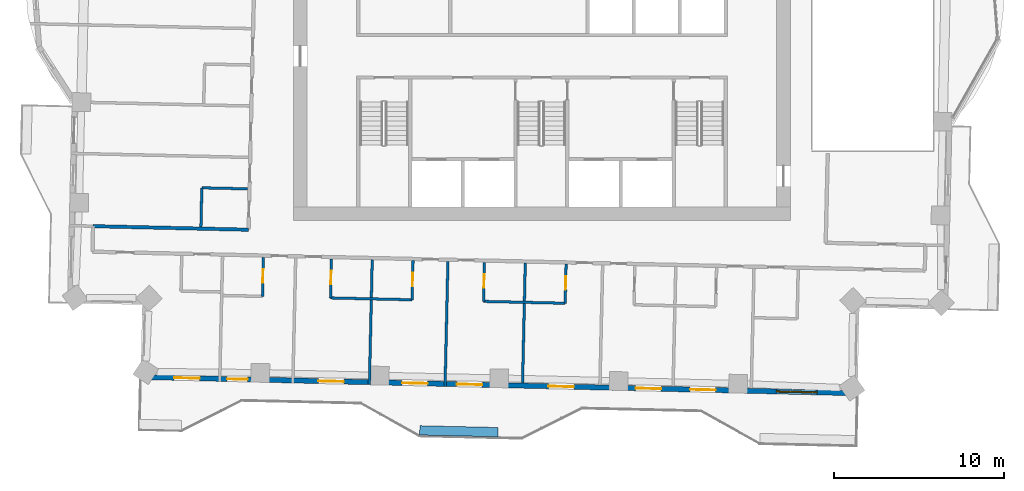
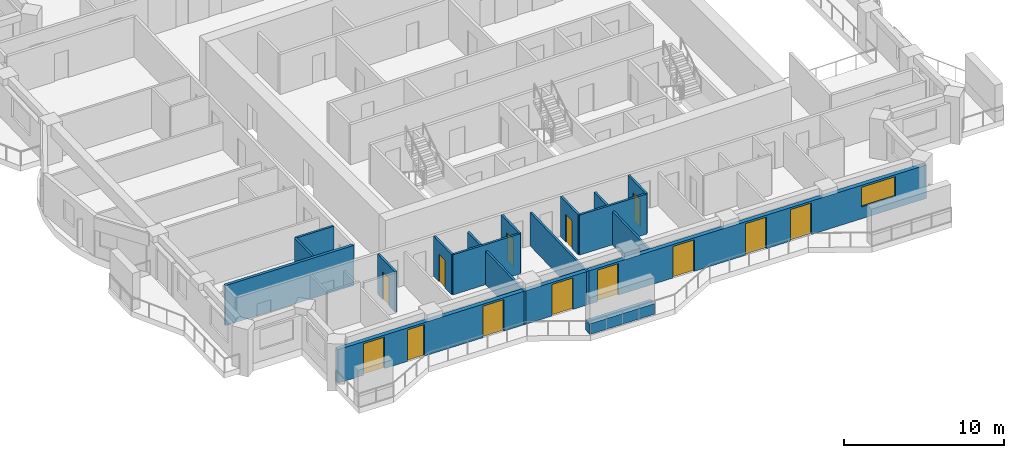
# One storey, part 6 of 16: 15 walls, 13 doors, 1 window, 14 openings.
"""IFC4 building model written with IfcOpenShell, lengths in metres."""

from ifc_helpers import new_model, si_unit, direction, frame, frame_2d, origin, place, context, subcontext, project, spatial, rectangle, extrude, material, layer, layer_set, type_object, element, fill, save


model = new_model("IFC4")

# Units and contexts
model_context = context("Model", 3, precision=1e-05, world=origin(), true_north=direction((0.0, 1.0)))
body_context = subcontext(model_context, "Body", "Model", "MODEL_VIEW")
ifc_project = project(units=[si_unit("LENGTHUNIT", "METRE"), si_unit("AREAUNIT", "SQUARE_METRE"), si_unit("VOLUMEUNIT", "CUBIC_METRE"), si_unit("PLANEANGLEUNIT", "RADIAN"), si_unit("MASSUNIT", "GRAM", prefix="KILO")], contexts=[model_context])

# Site, building, storey
site_placement = place(None, origin())
site = spatial("IfcSite", under=ifc_project, at=site_placement, CompositionType="ELEMENT")
building_placement = place(site_placement, origin())
building = spatial("IfcBuilding", under=site, at=building_placement, Name="Mangrove Gate Tower", CompositionType="ELEMENT")
storey_placement = place(building_placement, frame((0.0, 0.0, 215.89990234375)))
storey = spatial("IfcBuildingStorey", under=building, at=storey_placement, Name="L55", CompositionType="ELEMENT", Elevation=215.89990234375)

# Wall
ifc_material_1 = material(Name="Gypsum board on steel stud, EI 60", Category="steel")
ifc_layer_1 = layer(ifc_material_1, 0.199951171875)
ifc_layer_set_1 = layer_set([ifc_layer_1], Name="Corridor wall EI 60")
wall_type_1 = type_object("IfcWallType", Name="Corridor wall EI 60", PredefinedType="PARTITIONING", material=ifc_layer_set_1)
wall_1_placement = place(storey_placement, frame((-26.386962890625, -11.94091796875, 0.0), z_axis=(0.0, 0.0, 1.0), x_axis=(0.999741076645, -0.022754772455, 0.0)))
element("IfcWall", 1, at=wall_1_placement, inside=storey, type_object=wall_type_1, Name="WALL-L55-028", PredefinedType="PARTITIONING", context=body_context, shape_type="SweptSolid", body=[
    extrude(rectangle(XDim=9.141357421875, YDim=0.199951171875, at=frame_2d((4.57080078125, 0.0))), origin(), (0.0, 0.0, 1.0), 3.050048828125),
])

# Wall, openings, doors, window
ifc_material_2 = material(Name="Limestone", Category="masonry")
ifc_layer_2 = layer(ifc_material_2, 0.0400390625, Name="Limestone cladding")
ifc_material_3 = material(Name="Ventilated air gap")
ifc_layer_3 = layer(ifc_material_3, 0.0400390625, Name="Ventilated cavity")
ifc_material_4 = material(Name="Mineral wool insulation")
ifc_layer_4 = layer(ifc_material_4, 0.06005859375, Name="Insulation")
ifc_material_5 = material(Name="Breather membrane")
ifc_layer_5 = layer(ifc_material_5, 0.001953125, Name="Breather membrane")
ifc_material_6 = material(Name="Concrete C20/25 blockwork", Category="masonry")
ifc_layer_6 = layer(ifc_material_6, 0.14990234375, Name="Blockwork backing wall")
ifc_material_7 = material(Name="Gypsum plaster")
ifc_layer_7 = layer(ifc_material_7, 0.008056640625, Name="Internal plaster")
ifc_layer_set_2 = layer_set([ifc_layer_2, ifc_layer_3, ifc_layer_4, ifc_layer_5, ifc_layer_6, ifc_layer_7], Name="External wall 300 limestone cladding")
wall_type_2 = type_object("IfcWallType", Name="External wall 300 limestone cladding", PredefinedType="SOLIDWALL", material=ifc_layer_set_2)
wall_2_placement = place(storey_placement, frame((-23.43701171875, -20.81005859375, 0.0), z_axis=(0.0, 0.0, 1.0), x_axis=(0.999742269115, -0.022702320244, 0.0)))
wall_2 = element("IfcWall", 2, at=wall_2_placement, inside=storey, type_object=wall_type_2, Name="WALL-L55-S13", PredefinedType="SOLIDWALL", context=body_context, shape_type="SweptSolid", body=[
    extrude(rectangle(XDim=41.84375, YDim=0.300048828125, at=frame_2d((20.921875, 0.0))), origin(), (0.0, 0.0, 1.0), 2.550048828125),
])
opening_1_placement = place(wall_2_placement, frame((1.824951171875, 0.0, 0.0)))
opening_1 = element("IfcOpeningElement", 3, at=opening_1_placement, cuts=wall_2, Name="Opening BD1", PredefinedType="OPENING", context=body_context, shape_type="SweptSolid", body=[
    extrude(rectangle(XDim=1.5, YDim=2.39990234375, at=frame_2d((0.75, 1.199951171875))), frame((0.0, 0.159912109375, 0.0), z_axis=(0.0, -1.0, 0.0), x_axis=(1.0, 0.0, 0.0)), (0.0, 0.0, 1.0), 0.320068359375),
])
opening_2_placement = place(wall_2_placement, frame((4.93701171875, 0.0, 0.0)))
opening_2 = element("IfcOpeningElement", 4, at=opening_2_placement, cuts=wall_2, Name="Opening BD2", PredefinedType="OPENING", context=body_context, shape_type="SweptSolid", body=[
    extrude(rectangle(XDim=1.199951171875, YDim=2.39990234375, at=frame_2d((0.60009765625, 1.199951171875))), frame((0.0, 0.159912109375, 0.0), z_axis=(0.0, -1.0, 0.0), x_axis=(1.0, 0.0, 0.0)), (0.0, 0.0, 1.0), 0.320068359375),
])
opening_3_placement = place(wall_2_placement, frame((10.300048828125, 0.0, 0.0)))
opening_3 = element("IfcOpeningElement", 5, at=opening_3_placement, cuts=wall_2, Name="Opening BD1", PredefinedType="OPENING", context=body_context, shape_type="SweptSolid", body=[
    extrude(rectangle(XDim=1.5, YDim=2.39990234375, at=frame_2d((0.75, 1.199951171875))), frame((0.0, 0.159912109375, 0.0), z_axis=(0.0, -1.0, 0.0), x_axis=(1.0, 0.0, 0.0)), (0.0, 0.0, 1.0), 0.320068359375),
])
opening_4_placement = place(wall_2_placement, frame((15.22412109375, 0.0, 0.0)))
opening_4 = element("IfcOpeningElement", 6, at=opening_4_placement, cuts=wall_2, Name="Opening BD1", PredefinedType="OPENING", context=body_context, shape_type="SweptSolid", body=[
    extrude(rectangle(XDim=1.5, YDim=2.39990234375, at=frame_2d((0.75, 1.199951171875))), frame((0.0, 0.159912109375, 0.0), z_axis=(0.0, -1.0, 0.0), x_axis=(1.0, 0.0, 0.0)), (0.0, 0.0, 1.0), 0.320068359375),
])
opening_5_placement = place(wall_2_placement, frame((18.43603515625, 0.0, 0.0)))
opening_5 = element("IfcOpeningElement", 7, at=opening_5_placement, cuts=wall_2, Name="Opening BD1", PredefinedType="OPENING", context=body_context, shape_type="SweptSolid", body=[
    extrude(rectangle(XDim=1.5, YDim=2.39990234375, at=frame_2d((0.75, 1.199951171875))), frame((0.0, 0.159912109375, 0.0), z_axis=(0.0, -1.0, 0.0), x_axis=(1.0, 0.0, 0.0)), (0.0, 0.0, 1.0), 0.320068359375),
])
opening_6_placement = place(wall_2_placement, frame((23.824951171875, 0.0, 0.0)))
opening_6 = element("IfcOpeningElement", 8, at=opening_6_placement, cuts=wall_2, Name="Opening BD1", PredefinedType="OPENING", context=body_context, shape_type="SweptSolid", body=[
    extrude(rectangle(XDim=1.5, YDim=2.39990234375, at=frame_2d((0.75, 1.199951171875))), frame((0.0, 0.159912109375, 0.0), z_axis=(0.0, -1.0, 0.0), x_axis=(1.0, 0.0, 0.0)), (0.0, 0.0, 1.0), 0.320068359375),
])
opening_7_placement = place(wall_2_placement, frame((28.947998046875, 0.0, 0.0)))
opening_7 = element("IfcOpeningElement", 9, at=opening_7_placement, cuts=wall_2, Name="Opening BD1", PredefinedType="OPENING", context=body_context, shape_type="SweptSolid", body=[
    extrude(rectangle(XDim=1.5, YDim=2.39990234375, at=frame_2d((0.75, 1.199951171875))), frame((0.0, 0.159912109375, 0.0), z_axis=(0.0, -1.0, 0.0), x_axis=(1.0, 0.0, 0.0)), (0.0, 0.0, 1.0), 0.320068359375),
])
opening_8_placement = place(wall_2_placement, frame((32.159912109375, 0.0, 0.0)))
opening_8 = element("IfcOpeningElement", 10, at=opening_8_placement, cuts=wall_2, Name="Opening BD1", PredefinedType="OPENING", context=body_context, shape_type="SweptSolid", body=[
    extrude(rectangle(XDim=1.5, YDim=2.39990234375, at=frame_2d((0.75, 1.199951171875))), frame((0.0, 0.159912109375, 0.0), z_axis=(0.0, -1.0, 0.0), x_axis=(1.0, 0.0, 0.0)), (0.0, 0.0, 1.0), 0.320068359375),
])
opening_9_placement = place(wall_2_placement, frame((37.22412109375, 0.0, 0.89990234375)))
opening_9 = element("IfcOpeningElement", 11, at=opening_9_placement, cuts=wall_2, Name="Opening W2", PredefinedType="OPENING", context=body_context, shape_type="SweptSolid", body=[
    extrude(rectangle(XDim=2.39990234375, YDim=1.5, at=frame_2d((1.199951171875, 0.75))), frame((0.0, 0.159912109375, 0.0), z_axis=(0.0, -1.0, 0.0), x_axis=(1.0, 0.0, 0.0)), (0.0, 0.0, 1.0), 0.320068359375),
])
ifc_material_8 = material(Name="Aluminium frame with laminated clear glass", Category="aluminium")
door_type_1 = type_object("IfcDoorType", Name="Balcony sliding door 1200x2400", OperationType="SLIDING_TO_LEFT", PredefinedType="DOOR", material=ifc_material_8)
door_1_placement = place(opening_2_placement, origin())
door_1 = element("IfcDoor", 12, at=door_1_placement, inside=storey, type_object=door_type_1, Name="DOOR-L55-S13-2", OperationType="SLIDING_TO_LEFT", OverallHeight=2.39990234375, OverallWidth=1.199951171875, PredefinedType="DOOR", context=body_context, shape_type="SweptSolid", body=[
    extrude(rectangle(XDim=1.199951171875, YDim=2.39990234375, at=frame_2d((0.60009765625, 1.199951171875))), frame((0.0, 0.02490234375, 0.0), z_axis=(0.0, -1.0, 0.0), x_axis=(1.0, 0.0, 0.0)), (0.0, 0.0, 1.0), 0.050048828125),
])
fill(opening_2, door_1)
ifc_material_9 = material(Name="Aluminium frame with laminated clear glass", Category="aluminium")
door_type_2 = type_object("IfcDoorType", Name="Balcony sliding door 1500x2400", OperationType="SLIDING_TO_LEFT", PredefinedType="DOOR", material=ifc_material_9)
door_2_placement = place(opening_1_placement, origin())
door_2 = element("IfcDoor", 13, at=door_2_placement, inside=storey, type_object=door_type_2, Name="DOOR-L55-S13-1", OperationType="SLIDING_TO_LEFT", OverallHeight=2.39990234375, OverallWidth=1.5, PredefinedType="DOOR", context=body_context, shape_type="SweptSolid", body=[
    extrude(rectangle(XDim=1.5, YDim=2.39990234375, at=frame_2d((0.75, 1.199951171875))), frame((0.0, 0.02490234375, 0.0), z_axis=(0.0, -1.0, 0.0), x_axis=(1.0, 0.0, 0.0)), (0.0, 0.0, 1.0), 0.050048828125),
])
fill(opening_1, door_2)
door_3_placement = place(opening_3_placement, origin())
door_3 = element("IfcDoor", 14, at=door_3_placement, inside=storey, type_object=door_type_2, Name="DOOR-L55-S13-3", OperationType="SLIDING_TO_LEFT", OverallHeight=2.39990234375, OverallWidth=1.5, PredefinedType="DOOR", context=body_context, shape_type="SweptSolid", body=[
    extrude(rectangle(XDim=1.5, YDim=2.39990234375, at=frame_2d((0.75, 1.199951171875))), frame((0.0, 0.02490234375, 0.0), z_axis=(0.0, -1.0, 0.0), x_axis=(1.0, 0.0, 0.0)), (0.0, 0.0, 1.0), 0.050048828125),
])
fill(opening_3, door_3)
door_4_placement = place(opening_4_placement, origin())
door_4 = element("IfcDoor", 15, at=door_4_placement, inside=storey, type_object=door_type_2, Name="DOOR-L55-S13-4", OperationType="SLIDING_TO_LEFT", OverallHeight=2.39990234375, OverallWidth=1.5, PredefinedType="DOOR", context=body_context, shape_type="SweptSolid", body=[
    extrude(rectangle(XDim=1.5, YDim=2.39990234375, at=frame_2d((0.75, 1.199951171875))), frame((0.0, 0.02490234375, 0.0), z_axis=(0.0, -1.0, 0.0), x_axis=(1.0, 0.0, 0.0)), (0.0, 0.0, 1.0), 0.050048828125),
])
fill(opening_4, door_4)
door_5_placement = place(opening_5_placement, origin())
door_5 = element("IfcDoor", 16, at=door_5_placement, inside=storey, type_object=door_type_2, Name="DOOR-L55-S13-5", OperationType="SLIDING_TO_LEFT", OverallHeight=2.39990234375, OverallWidth=1.5, PredefinedType="DOOR", context=body_context, shape_type="SweptSolid", body=[
    extrude(rectangle(XDim=1.5, YDim=2.39990234375, at=frame_2d((0.75, 1.199951171875))), frame((0.0, 0.02490234375, 0.0), z_axis=(0.0, -1.0, 0.0), x_axis=(1.0, 0.0, 0.0)), (0.0, 0.0, 1.0), 0.050048828125),
])
fill(opening_5, door_5)
door_6_placement = place(opening_6_placement, origin())
door_6 = element("IfcDoor", 17, at=door_6_placement, inside=storey, type_object=door_type_2, Name="DOOR-L55-S13-6", OperationType="SLIDING_TO_LEFT", OverallHeight=2.39990234375, OverallWidth=1.5, PredefinedType="DOOR", context=body_context, shape_type="SweptSolid", body=[
    extrude(rectangle(XDim=1.5, YDim=2.39990234375, at=frame_2d((0.75, 1.199951171875))), frame((0.0, 0.02490234375, 0.0), z_axis=(0.0, -1.0, 0.0), x_axis=(1.0, 0.0, 0.0)), (0.0, 0.0, 1.0), 0.050048828125),
])
fill(opening_6, door_6)
door_7_placement = place(opening_7_placement, origin())
door_7 = element("IfcDoor", 18, at=door_7_placement, inside=storey, type_object=door_type_2, Name="DOOR-L55-S13-7", OperationType="SLIDING_TO_LEFT", OverallHeight=2.39990234375, OverallWidth=1.5, PredefinedType="DOOR", context=body_context, shape_type="SweptSolid", body=[
    extrude(rectangle(XDim=1.5, YDim=2.39990234375, at=frame_2d((0.75, 1.199951171875))), frame((0.0, 0.02490234375, 0.0), z_axis=(0.0, -1.0, 0.0), x_axis=(1.0, 0.0, 0.0)), (0.0, 0.0, 1.0), 0.050048828125),
])
fill(opening_7, door_7)
door_8_placement = place(opening_8_placement, origin())
door_8 = element("IfcDoor", 19, at=door_8_placement, inside=storey, type_object=door_type_2, Name="DOOR-L55-S13-8", OperationType="SLIDING_TO_LEFT", OverallHeight=2.39990234375, OverallWidth=1.5, PredefinedType="DOOR", context=body_context, shape_type="SweptSolid", body=[
    extrude(rectangle(XDim=1.5, YDim=2.39990234375, at=frame_2d((0.75, 1.199951171875))), frame((0.0, 0.02490234375, 0.0), z_axis=(0.0, -1.0, 0.0), x_axis=(1.0, 0.0, 0.0)), (0.0, 0.0, 1.0), 0.050048828125),
])
fill(opening_8, door_8)
ifc_material_10 = material(Name="Aluminium frame with double-glazed low-e glass", Category="aluminium")
window_type = type_object("IfcWindowType", Name="Corner room window 2400x1500", PartitioningType="DOUBLE_PANEL_VERTICAL", PredefinedType="WINDOW", material=ifc_material_10)
window_placement = place(opening_9_placement, origin())
window = element("IfcWindow", 20, at=window_placement, inside=storey, type_object=window_type, Name="WIN-L55-S13-9", OverallHeight=1.5, OverallWidth=2.39990234375, PartitioningType="DOUBLE_PANEL_VERTICAL", PredefinedType="WINDOW", context=body_context, shape_type="SweptSolid", body=[
    extrude(rectangle(XDim=2.39990234375, YDim=1.5, at=frame_2d((1.199951171875, 0.75))), frame((0.0, 0.030029296875, 0.0), z_axis=(0.0, -1.0, 0.0), x_axis=(1.0, 0.0, 0.0)), (0.0, 0.0, 1.0), 0.06005859375),
])
fill(opening_9, window)

# Walls
ifc_material_11 = material(Name="Gypsum board on steel stud, EI 60", Category="steel")
ifc_layer_8 = layer(ifc_material_11, 0.14990234375)
ifc_layer_set_3 = layer_set([ifc_layer_8], Name="Party wall 150 EI 60")
wall_type_3 = type_object("IfcWallType", Name="Party wall 150 EI 60", PredefinedType="PARTITIONING", material=ifc_layer_set_3)
wall_3_placement = place(storey_placement, frame((-10.14208984375, -21.261962890625, 0.0), z_axis=(0.0, 0.0, 1.0), x_axis=(0.022720650804, 0.999741852694, 0.0)))
element("IfcWall", 21, at=wall_3_placement, inside=storey, type_object=wall_type_3, Name="WALL-L55-003", PredefinedType="PARTITIONING", context=body_context, shape_type="SweptSolid", body=[
    extrude(rectangle(XDim=7.349853515625, YDim=0.14990234375, at=frame_2d((3.6748046875, 0.0))), origin(), (0.0, 0.0, 1.0), 2.550048828125),
])
wall_4_placement = place(storey_placement, frame((-5.693115234375, -21.363037109375, 0.0), z_axis=(0.0, 0.0, 1.0), x_axis=(0.022753095343, 0.999741114815, 0.0)))
element("IfcWall", 22, at=wall_4_placement, inside=storey, type_object=wall_type_3, Name="WALL-L55-004", PredefinedType="PARTITIONING", context=body_context, shape_type="SweptSolid", body=[
    extrude(rectangle(XDim=7.35009765625, YDim=0.14990234375, at=frame_2d((3.675048828125, 0.0))), origin(), (0.0, 0.0, 1.0), 2.550048828125),
])
wall_5_placement = place(storey_placement, frame((-1.137939453125, -21.166015625, 0.0), z_axis=(0.0, 0.0, 1.0), x_axis=(0.022682859663, 0.99974271084, 0.0)))
element("IfcWall", 23, at=wall_5_placement, inside=storey, type_object=wall_type_3, Name="WALL-L55-005", PredefinedType="PARTITIONING", context=body_context, shape_type="SweptSolid", body=[
    extrude(rectangle(XDim=7.0498046875, YDim=0.14990234375, at=frame_2d((3.52490234375, 0.0))), origin(), (0.0, 0.0, 1.0), 2.550048828125),
])

# Wall, opening, door
wall_6_placement = place(storey_placement, frame((-16.426025390625, -16.068115234375, 0.0), z_axis=(0.0, 0.0, 1.0), x_axis=(0.022612884682, 0.999744296031, 0.0)))
wall_6 = element("IfcWall", 24, at=wall_6_placement, inside=storey, type_object=wall_type_3, Name="WALL-L55-012", PredefinedType="PARTITIONING", context=body_context, shape_type="SweptSolid", body=[
    extrude(rectangle(XDim=2.299560546875, YDim=0.14990234375, at=frame_2d((1.14990234375, 0.0))), origin(), (0.0, 0.0, 1.0), 3.050048828125),
])
opening_10_placement = place(wall_6_placement, frame((0.800048828125, 0.0, 0.0)))
opening_10 = element("IfcOpeningElement", 25, at=opening_10_placement, cuts=wall_6, Name="Opening ED", PredefinedType="OPENING", context=body_context, shape_type="SweptSolid", body=[
    extrude(rectangle(XDim=0.800048828125, YDim=2.10009765625, at=frame_2d((0.39990234375, 1.050048828125))), frame((0.0, 0.0849609375, 0.0), z_axis=(0.0, -1.0, 0.0), x_axis=(1.0, 0.0, 0.0)), (0.0, 0.0, 1.0), 0.169921875),
])
ifc_material_12 = material(Name="Timber door leaf", Category="wood")
door_type_3 = type_object("IfcDoorType", Name="En-suite door 800", OperationType="SINGLE_SWING_LEFT", PredefinedType="DOOR", material=ifc_material_12)
door_9_placement = place(opening_10_placement, origin())
door_9 = element("IfcDoor", 26, at=door_9_placement, inside=storey, type_object=door_type_3, Name="DOOR-L55-ENS-c101", OperationType="SINGLE_SWING_LEFT", OverallHeight=2.10009765625, OverallWidth=0.800048828125, PredefinedType="DOOR", context=body_context, shape_type="SweptSolid", body=[
    extrude(rectangle(XDim=0.800048828125, YDim=2.10009765625, at=frame_2d((0.39990234375, 1.050048828125))), frame((0.0, 0.02490234375, 0.0), z_axis=(0.0, -1.0, 0.0), x_axis=(1.0, 0.0, 0.0)), (0.0, 0.0, 1.0), 0.050048828125),
])
fill(opening_10, door_9)

# Wall
wall_7_placement = place(storey_placement, frame((-12.428955078125, -16.158935546875, 0.0), z_axis=(0.0, 0.0, 1.0), x_axis=(0.99974154664, -0.022734113616, 0.0)))
element("IfcWall", 27, at=wall_7_placement, inside=storey, type_object=wall_type_3, Name="WALL-L55-013", PredefinedType="PARTITIONING", context=body_context, shape_type="SweptSolid", body=[
    extrude(rectangle(XDim=4.80029296875, YDim=0.14990234375, at=frame_2d((2.400146484375, 0.0))), origin(), (0.0, 0.0, 1.0), 3.050048828125),
])

# Wall, opening, door
wall_8_placement = place(storey_placement, frame((-12.427001953125, -16.158935546875, 0.0), z_axis=(0.0, 0.0, 1.0), x_axis=(0.022615284993, 0.999744241736, 0.0)))
wall_8 = element("IfcWall", 28, at=wall_8_placement, inside=storey, type_object=wall_type_3, Name="WALL-L55-014", PredefinedType="PARTITIONING", context=body_context, shape_type="SweptSolid", body=[
    extrude(rectangle(XDim=2.29931640625, YDim=0.14990234375, at=frame_2d((1.149658203125, 0.0))), origin(), (0.0, 0.0, 1.0), 3.050048828125),
])
opening_11_placement = place(wall_8_placement, frame((0.800048828125, 0.0, 0.0)))
opening_11 = element("IfcOpeningElement", 29, at=opening_11_placement, cuts=wall_8, Name="Opening ED", PredefinedType="OPENING", context=body_context, shape_type="SweptSolid", body=[
    extrude(rectangle(XDim=0.800048828125, YDim=2.10009765625, at=frame_2d((0.39990234375, 1.050048828125))), frame((0.0, 0.0849609375, 0.0), z_axis=(0.0, -1.0, 0.0), x_axis=(1.0, 0.0, 0.0)), (0.0, 0.0, 1.0), 0.169921875),
])
door_10_placement = place(opening_11_placement, origin())
door_10 = element("IfcDoor", 30, at=door_10_placement, inside=storey, type_object=door_type_3, Name="DOOR-L55-ENS-c102", OperationType="SINGLE_SWING_RIGHT", OverallHeight=2.10009765625, OverallWidth=0.800048828125, PredefinedType="DOOR", context=body_context, shape_type="SweptSolid", body=[
    extrude(rectangle(XDim=0.800048828125, YDim=2.10009765625, at=frame_2d((0.39990234375, 1.050048828125))), frame((0.0, 0.02490234375, 0.0), z_axis=(0.0, -1.0, 0.0), x_axis=(1.0, 0.0, 0.0)), (0.0, 0.0, 1.0), 0.050048828125),
])
fill(opening_11, door_10)

wall_9_placement = place(storey_placement, frame((-7.6279296875, -16.26806640625, 0.0), z_axis=(0.0, 0.0, 1.0), x_axis=(0.022603288534, 0.999744513037, 0.0)))
wall_9 = element("IfcWall", 31, at=wall_9_placement, inside=storey, type_object=wall_type_3, Name="WALL-L55-015", PredefinedType="PARTITIONING", context=body_context, shape_type="SweptSolid", body=[
    extrude(rectangle(XDim=2.300537109375, YDim=0.14990234375, at=frame_2d((1.150390625, 0.0))), origin(), (0.0, 0.0, 1.0), 3.050048828125),
])
opening_12_placement = place(wall_9_placement, frame((0.800048828125, 0.0, 0.0)))
opening_12 = element("IfcOpeningElement", 32, at=opening_12_placement, cuts=wall_9, Name="Opening ED", PredefinedType="OPENING", context=body_context, shape_type="SweptSolid", body=[
    extrude(rectangle(XDim=0.800048828125, YDim=2.10009765625, at=frame_2d((0.39990234375, 1.050048828125))), frame((0.0, 0.0849609375, 0.0), z_axis=(0.0, -1.0, 0.0), x_axis=(1.0, 0.0, 0.0)), (0.0, 0.0, 1.0), 0.169921875),
])
door_11_placement = place(opening_12_placement, origin())
door_11 = element("IfcDoor", 33, at=door_11_placement, inside=storey, type_object=door_type_3, Name="DOOR-L55-ENS-c103", OperationType="SINGLE_SWING_LEFT", OverallHeight=2.10009765625, OverallWidth=0.800048828125, PredefinedType="DOOR", context=body_context, shape_type="SweptSolid", body=[
    extrude(rectangle(XDim=0.800048828125, YDim=2.10009765625, at=frame_2d((0.39990234375, 1.050048828125))), frame((0.0, 0.02490234375, 0.0), z_axis=(0.0, -1.0, 0.0), x_axis=(1.0, 0.0, 0.0)), (0.0, 0.0, 1.0), 0.050048828125),
])
fill(opening_12, door_11)

# Wall
wall_10_placement = place(storey_placement, frame((-3.430908203125, -16.363037109375, 0.0), z_axis=(0.0, 0.0, 1.0), x_axis=(0.999742675121, -0.022684433919, 0.0)))
element("IfcWall", 34, at=wall_10_placement, inside=storey, type_object=wall_type_3, Name="WALL-L55-016", PredefinedType="PARTITIONING", context=body_context, shape_type="SweptSolid", body=[
    extrude(rectangle(XDim=4.800048828125, YDim=0.14990234375, at=frame_2d((2.39990234375, 0.0))), origin(), (0.0, 0.0, 1.0), 3.050048828125),
])

# Wall, opening, door
wall_11_placement = place(storey_placement, frame((-3.428955078125, -16.363037109375, 0.0), z_axis=(0.0, 0.0, 1.0), x_axis=(0.022612884682, 0.999744296031, 0.0)))
wall_11 = element("IfcWall", 35, at=wall_11_placement, inside=storey, type_object=wall_type_3, Name="WALL-L55-017", PredefinedType="PARTITIONING", context=body_context, shape_type="SweptSolid", body=[
    extrude(rectangle(XDim=2.299560546875, YDim=0.14990234375, at=frame_2d((1.14990234375, 0.0))), origin(), (0.0, 0.0, 1.0), 3.050048828125),
])
opening_13_placement = place(wall_11_placement, frame((0.800048828125, 0.0, 0.0)))
opening_13 = element("IfcOpeningElement", 36, at=opening_13_placement, cuts=wall_11, Name="Opening ED", PredefinedType="OPENING", context=body_context, shape_type="SweptSolid", body=[
    extrude(rectangle(XDim=0.800048828125, YDim=2.10009765625, at=frame_2d((0.39990234375, 1.050048828125))), frame((0.0, 0.0849609375, 0.0), z_axis=(0.0, -1.0, 0.0), x_axis=(1.0, 0.0, 0.0)), (0.0, 0.0, 1.0), 0.169921875),
])
door_12_placement = place(opening_13_placement, origin())
door_12 = element("IfcDoor", 37, at=door_12_placement, inside=storey, type_object=door_type_3, Name="DOOR-L55-ENS-c204", OperationType="SINGLE_SWING_RIGHT", OverallHeight=2.10009765625, OverallWidth=0.800048828125, PredefinedType="DOOR", context=body_context, shape_type="SweptSolid", body=[
    extrude(rectangle(XDim=0.800048828125, YDim=2.10009765625, at=frame_2d((0.39990234375, 1.050048828125))), frame((0.0, 0.02490234375, 0.0), z_axis=(0.0, -1.0, 0.0), x_axis=(1.0, 0.0, 0.0)), (0.0, 0.0, 1.0), 0.050048828125),
])
fill(opening_13, door_12)

wall_12_placement = place(storey_placement, frame((1.3701171875, -16.471923828125, 0.0), z_axis=(0.0, 0.0, 1.0), x_axis=(0.022615284993, 0.999744241736, 0.0)))
wall_12 = element("IfcWall", 38, at=wall_12_placement, inside=storey, type_object=wall_type_3, Name="WALL-L55-018", PredefinedType="PARTITIONING", context=body_context, shape_type="SweptSolid", body=[
    extrude(rectangle(XDim=2.29931640625, YDim=0.14990234375, at=frame_2d((1.149658203125, 0.0))), origin(), (0.0, 0.0, 1.0), 3.050048828125),
])
opening_14_placement = place(wall_12_placement, frame((0.800048828125, 0.0, 0.0)))
opening_14 = element("IfcOpeningElement", 39, at=opening_14_placement, cuts=wall_12, Name="Opening ED", PredefinedType="OPENING", context=body_context, shape_type="SweptSolid", body=[
    extrude(rectangle(XDim=0.800048828125, YDim=2.10009765625, at=frame_2d((0.39990234375, 1.050048828125))), frame((0.0, 0.0849609375, 0.0), z_axis=(0.0, -1.0, 0.0), x_axis=(1.0, 0.0, 0.0)), (0.0, 0.0, 1.0), 0.169921875),
])
door_13_placement = place(opening_14_placement, origin())
door_13 = element("IfcDoor", 40, at=door_13_placement, inside=storey, type_object=door_type_3, Name="DOOR-L55-ENS-c205", OperationType="SINGLE_SWING_LEFT", OverallHeight=2.10009765625, OverallWidth=0.800048828125, PredefinedType="DOOR", context=body_context, shape_type="SweptSolid", body=[
    extrude(rectangle(XDim=0.800048828125, YDim=2.10009765625, at=frame_2d((0.39990234375, 1.050048828125))), frame((0.0, 0.02490234375, 0.0), z_axis=(0.0, -1.0, 0.0), x_axis=(1.0, 0.0, 0.0)), (0.0, 0.0, 1.0), 0.050048828125),
])
fill(opening_14, door_13)

# Walls
wall_13_placement = place(storey_placement, frame((-20.0439453125, -11.985107421875, 0.0), z_axis=(0.0, 0.0, 1.0), x_axis=(0.022612884682, 0.999744296031, 0.0)))
element("IfcWall", 41, at=wall_13_placement, inside=storey, type_object=wall_type_3, Name="WALL-L55-029", PredefinedType="PARTITIONING", context=body_context, shape_type="SweptSolid", body=[
    extrude(rectangle(XDim=2.299560546875, YDim=0.14990234375, at=frame_2d((1.14990234375, 0.0))), origin(), (0.0, 0.0, 1.0), 3.050048828125),
])
wall_14_placement = place(storey_placement, frame((-19.992919921875, -9.68603515625, 0.0), z_axis=(0.0, 0.0, 1.0), x_axis=(0.999744396973, -0.02260842146, 0.0)))
element("IfcWall", 42, at=wall_14_placement, inside=storey, type_object=wall_type_3, Name="WALL-L55-034", PredefinedType="PARTITIONING", context=body_context, shape_type="SweptSolid", body=[
    extrude(rectangle(XDim=2.69970703125, YDim=0.14990234375, at=frame_2d((1.349853515625, 0.0))), origin(), (0.0, 0.0, 1.0), 3.050048828125),
])
ifc_material_13 = material(Name="Concrete C32/40", Category="concrete")
ifc_layer_9 = layer(ifc_material_13, 0.199951171875, Name="Planter trough wall")
ifc_material_14 = material(Name="Bituminous waterproofing membrane")
ifc_layer_10 = layer(ifc_material_14, 0.0048828125, Name="Waterproofing")
ifc_material_15 = material(Name="Drainage board and gravel")
ifc_layer_11 = layer(ifc_material_15, 0.044921875, Name="Drainage layer")
ifc_material_16 = material(Name="Planting soil")
ifc_layer_12 = layer(ifc_material_16, 0.300048828125, Name="Growing medium")
ifc_layer_set_4 = layer_set([ifc_layer_9, ifc_layer_10, ifc_layer_11, ifc_layer_12], Name="Planter wall 550 C32/40")
wall_type_4 = type_object("IfcWallType", Name="Planter wall 550 C32/40", PredefinedType="USERDEFINED", material=ifc_layer_set_4)
wall_15_placement = place(storey_placement, frame((-7.181884765625, -23.945068359375, 0.0), z_axis=(0.0, 0.0, 1.0), x_axis=(0.999744268886, -0.022614084774, 0.0)))
element("IfcWall", 43, at=wall_15_placement, inside=storey, type_object=wall_type_4, Name="PLANTER L55 S0.2", ObjectType="PLANTER", PredefinedType="USERDEFINED", context=body_context, shape_type="SweptSolid", body=[
    extrude(rectangle(XDim=4.59912109375, YDim=0.550048828125, at=frame_2d((2.299560546875, 0.0))), origin(), (0.0, 0.0, 1.0), 0.800048828125),
])

save(model, "model.ifc")
